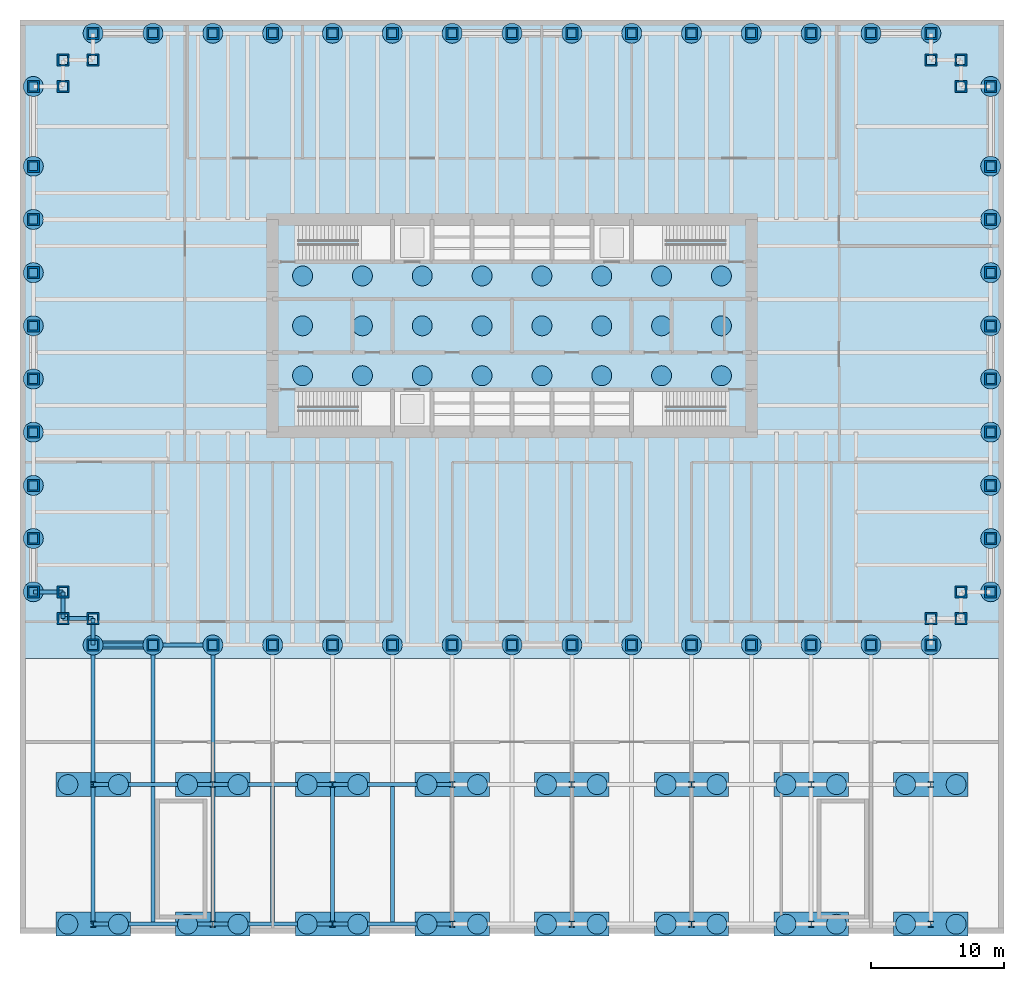
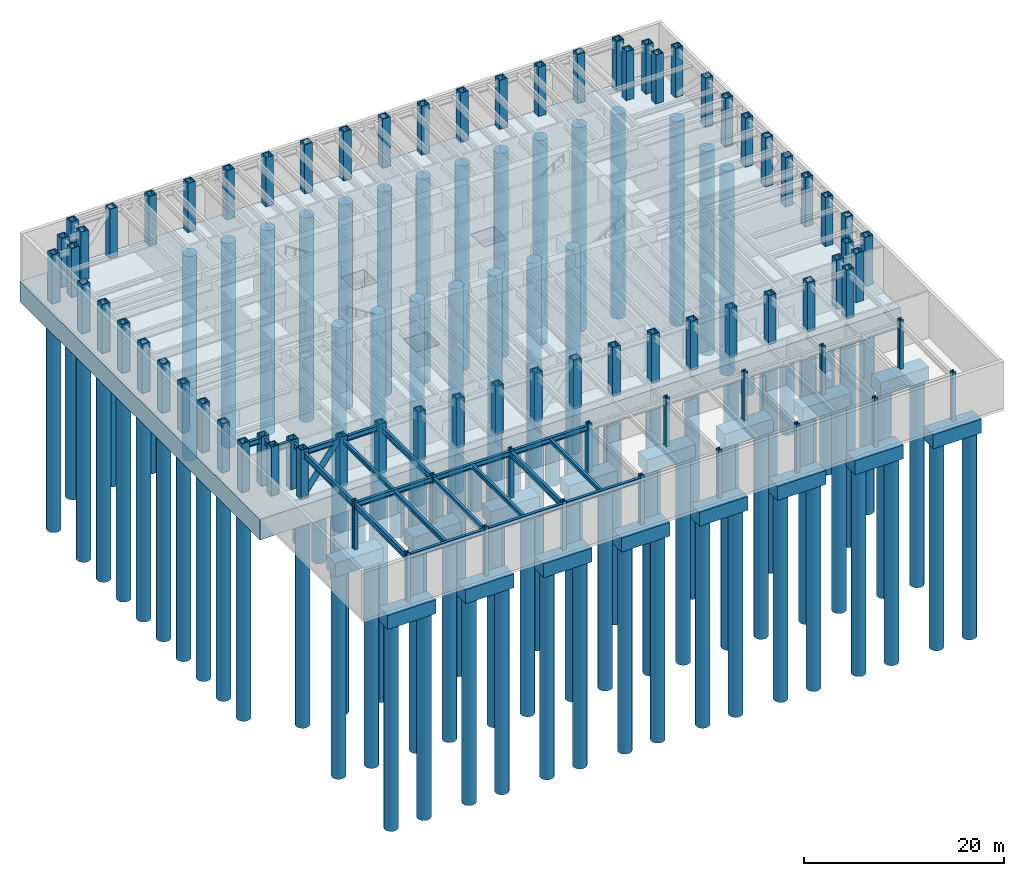
# One storey, part 1 of 9: 106 piles, 78 columns, 21 beams, 17 footings, 1 member.
"""IFC4 building model written with IfcOpenShell, lengths in metres."""

from ifc_helpers import new_model, si_unit, direction, frame, origin, origin_2d, place, context, subcontext, project, spatial, polyline, rectangle, hollow_rectangle, circle, hollow_circle, i_section, outline, extrude, material, layer, layer_set, material_profile, profile_set, type_object, element, save


model = new_model("IFC4")

# Units and contexts
model_context = context("Model", 3, precision=1e-05, world=origin(), true_north=direction((0.0, 1.0)))
body_context = subcontext(model_context, "Body", "Model", "MODEL_VIEW")
ifc_project = project(units=[si_unit("LENGTHUNIT", "METRE"), si_unit("AREAUNIT", "SQUARE_METRE"), si_unit("VOLUMEUNIT", "CUBIC_METRE"), si_unit("PLANEANGLEUNIT", "RADIAN"), si_unit("MASSUNIT", "GRAM", prefix="KILO")], contexts=[model_context])

# Site, building, storey
site_placement = place(None, origin())
site = spatial("IfcSite", under=ifc_project, at=site_placement, CompositionType="ELEMENT")
building_placement = place(site_placement, origin())
building = spatial("IfcBuilding", under=site, at=building_placement, Name="Rheinbord Bourse Tower", CompositionType="ELEMENT")
storey_placement = place(building_placement, frame((0.0, 0.0, -6.0)))
storey = spatial("IfcBuildingStorey", under=building, at=storey_placement, Name="B1", CompositionType="ELEMENT", Elevation=-6.0)

# Piles
ifc_material_1 = material(Name="Concrete C30/37", Category="concrete")
ifc_material_profile_1 = material_profile(ifc_material_1, circle(Radius=0.75, at=origin_2d()), Name="D1500")
ifc_profile_set_1 = profile_set([ifc_material_profile_1], Name="Concrete C30/37")
pile_type = type_object("IfcPileType", Name="BORED PILE D1500", PredefinedType="BORED", material=ifc_profile_set_1)
for number, where, z_axis, x_axis, name in (
    (1, (72.0, 12.0, -2.800048828125), (0.0, 0.0, -1.0), (1.0, 0.0, 0.0), "Pile E-12"),
    (2, (72.0, 16.0, -2.800048828125), (0.0, 0.0, -1.0), (1.0, 0.0, 0.0), "Pile E-16"),
    (3, (72.0, 20.0, -2.800048828125), (0.0, 0.0, -1.0), (1.0, 0.0, 0.0), "Pile E-20"),
    (4, (72.0, 24.0, -2.800048828125), (0.0, 0.0, -1.0), (1.0, 0.0, 0.0), "Pile E-24"),
    (5, (72.0, 28.0, -2.800048828125), (0.0, 0.0, -1.0), (1.0, 0.0, 0.0), "Pile E-28"),
    (6, (72.0, 32.0, -2.800048828125), (0.0, 0.0, -1.0), (1.0, 0.0, 0.0), "Pile E-32"),
    (7, (72.0, 36.0, -2.800048828125), (0.0, 0.0, -1.0), (1.0, 0.0, 0.0), "Pile E-36"),
    (8, (72.0, 8.0, -2.800048828125), (0.0, 0.0, -1.0), (1.0, 0.0, 0.0), "Pile E-8"),
    (9, (13.5, 46.0, -2.800048828125), (0.0, 0.0, -1.0), (1.0, 0.0, 0.0), "Pile N-13.5"),
    (10, (18.0, 46.0, -2.800048828125), (0.0, 0.0, -1.0), (1.0, 0.0, 0.0), "Pile N-18"),
    (11, (22.5, 46.0, -2.800048828125), (0.0, 0.0, -1.0), (1.0, 0.0, 0.0), "Pile N-22.5"),
    (12, (27.0, 46.0, -2.800048828125), (0.0, 0.0, -1.0), (1.0, 0.0, 0.0), "Pile N-27"),
    (13, (31.5, 46.0, -2.800048828125), (0.0, 0.0, -1.0), (1.0, 0.0, 0.0), "Pile N-31.5"),
    (14, (36.0, 46.0, -2.800048828125), (0.0, 0.0, -1.0), (1.0, 0.0, 0.0), "Pile N-36"),
    (15, (40.5, 46.0, -2.800048828125), (0.0, 0.0, -1.0), (1.0, 0.0, 0.0), "Pile N-40.5"),
    (16, (45.0, 46.0, -2.800048828125), (0.0, 0.0, -1.0), (1.0, 0.0, 0.0), "Pile N-45"),
    (17, (49.5, 46.0, -2.800048828125), (0.0, 0.0, -1.0), (1.0, 0.0, 0.0), "Pile N-49.5"),
    (18, (54.0, 46.0, -2.800048828125), (0.0, 0.0, -1.0), (1.0, 0.0, 0.0), "Pile N-54"),
    (19, (58.5, 46.0, -2.800048828125), (0.0, 0.0, -1.0), (1.0, 0.0, 0.0), "Pile N-58.5"),
    (20, (63.0, 46.0, -2.800048828125), (0.0, 0.0, -1.0), (1.0, 0.0, 0.0), "Pile N-63"),
    (21, (9.0, 46.0, -2.800048828125), (0.0, 0.0, -1.0), (1.0, 0.0, 0.0), "Pile N-9"),
    (22, (72.0, 42.0, -2.800048828125), (0.0, 0.0, -1.0), (1.0, 0.0, 0.0), "Pile NE-A"),
    (23, (67.5, 46.0, -2.800048828125), (0.0, 0.0, -1.0), (1.0, 0.0, 0.0), "Pile NE-E"),
    (24, (0.0, 42.0, -2.800048828125), (0.0, 0.0, -1.0), (1.0, 0.0, 0.0), "Pile NW-A"),
    (25, (4.5, 46.0, -2.800048828125), (0.0, 0.0, -1.0), (1.0, 0.0, 0.0), "Pile NW-E"),
    (26, (13.5, 0.0, -2.800048828125), (0.0, 0.0, -1.0), (1.0, 0.0, 0.0), "Pile S-13.5"),
    (27, (18.0, 0.0, -2.800048828125), (0.0, 0.0, -1.0), (1.0, 0.0, 0.0), "Pile S-18"),
    (28, (22.5, 0.0, -2.800048828125), (0.0, 0.0, -1.0), (1.0, 0.0, 0.0), "Pile S-22.5"),
    (29, (27.0, 0.0, -2.800048828125), (0.0, 0.0, -1.0), (1.0, 0.0, 0.0), "Pile S-27"),
    (30, (31.5, 0.0, -2.800048828125), (0.0, 0.0, -1.0), (1.0, 0.0, 0.0), "Pile S-31.5"),
    (31, (36.0, 0.0, -2.800048828125), (0.0, 0.0, -1.0), (1.0, 0.0, 0.0), "Pile S-36"),
    (32, (40.5, 0.0, -2.800048828125), (0.0, 0.0, -1.0), (1.0, 0.0, 0.0), "Pile S-40.5"),
    (33, (45.0, 0.0, -2.800048828125), (0.0, 0.0, -1.0), (1.0, 0.0, 0.0), "Pile S-45"),
    (34, (49.5, 0.0, -2.800048828125), (0.0, 0.0, -1.0), (1.0, 0.0, 0.0), "Pile S-49.5"),
    (35, (54.0, 0.0, -2.800048828125), (0.0, 0.0, -1.0), (1.0, 0.0, 0.0), "Pile S-54"),
    (36, (58.5, 0.0, -2.800048828125), (0.0, 0.0, -1.0), (1.0, 0.0, 0.0), "Pile S-58.5"),
    (37, (63.0, 0.0, -2.800048828125), (0.0, 0.0, -1.0), (1.0, 0.0, 0.0), "Pile S-63"),
    (38, (9.0, 0.0, -2.800048828125), (0.0, 0.0, -1.0), (1.0, 0.0, 0.0), "Pile S-9"),
    (39, (72.0, 4.0, -2.800048828125), (0.0, 0.0, -1.0), (1.0, 0.0, 0.0), "Pile SE-A"),
    (40, (67.5, 0.0, -2.800048828125), (0.0, 0.0, -1.0), (1.0, 0.0, 0.0), "Pile SE-E"),
    (41, (0.0, 4.0, -2.800048828125), (0.0, 0.0, -1.0), (1.0, 0.0, 0.0), "Pile SW-A"),
    (42, (4.5, 0.0, -2.800048828125), (0.0, 0.0, -1.0), (1.0, 0.0, 0.0), "Pile SW-E"),
    (43, (0.0, 12.0, -2.800048828125), (0.0, 0.0, -1.0), (1.0, 0.0, 0.0), "Pile W-12"),
    (44, (0.0, 16.0, -2.800048828125), (0.0, 0.0, -1.0), (1.0, 0.0, 0.0), "Pile W-16"),
    (45, (0.0, 20.0, -2.800048828125), (0.0, 0.0, -1.0), (1.0, 0.0, 0.0), "Pile W-20"),
    (46, (0.0, 24.0, -2.800048828125), (0.0, 0.0, -1.0), (1.0, 0.0, 0.0), "Pile W-24"),
    (47, (0.0, 28.0, -2.800048828125), (0.0, 0.0, -1.0), (1.0, 0.0, 0.0), "Pile W-28"),
    (48, (0.0, 32.0, -2.800048828125), (0.0, 0.0, -1.0), (1.0, 0.0, 0.0), "Pile W-32"),
    (49, (0.0, 36.0, -2.800048828125), (0.0, 0.0, -1.0), (1.0, 0.0, 0.0), "Pile W-36"),
    (50, (0.0, 8.0, -2.800048828125), (0.0, 0.0, -1.0), (1.0, 0.0, 0.0), "Pile W-8"),
    (51, (20.25, 20.25, -2.800048828125), (0.0, 0.0, -1.0), (1.0, 0.0, 0.0), "Pile core-0-0"),
    (52, (20.25, 24.0, -2.800048828125), (0.0, 0.0, -1.0), (1.0, 0.0, 0.0), "Pile core-0-1"),
    (53, (20.25, 27.75, -2.800048828125), (0.0, 0.0, -1.0), (1.0, 0.0, 0.0), "Pile core-0-2"),
    (54, (24.75, 20.25, -2.800048828125), (0.0, 0.0, -1.0), (1.0, 0.0, 0.0), "Pile core-1-0"),
    (55, (24.75, 24.0, -2.800048828125), (0.0, 0.0, -1.0), (1.0, 0.0, 0.0), "Pile core-1-1"),
    (56, (24.75, 27.75, -2.800048828125), (0.0, 0.0, -1.0), (1.0, 0.0, 0.0), "Pile core-1-2"),
    (57, (29.25, 20.25, -2.800048828125), (0.0, 0.0, -1.0), (1.0, 0.0, 0.0), "Pile core-2-0"),
    (58, (29.25, 24.0, -2.800048828125), (0.0, 0.0, -1.0), (1.0, 0.0, 0.0), "Pile core-2-1"),
    (59, (29.25, 27.75, -2.800048828125), (0.0, 0.0, -1.0), (1.0, 0.0, 0.0), "Pile core-2-2"),
    (60, (33.75, 20.25, -2.800048828125), (0.0, 0.0, -1.0), (1.0, 0.0, 0.0), "Pile core-3-0"),
    (61, (33.75, 24.0, -2.800048828125), (0.0, 0.0, -1.0), (1.0, 0.0, 0.0), "Pile core-3-1"),
    (62, (33.75, 27.75, -2.800048828125), (0.0, 0.0, -1.0), (1.0, 0.0, 0.0), "Pile core-3-2"),
    (63, (38.25, 20.25, -2.800048828125), (0.0, 0.0, -1.0), (1.0, 0.0, 0.0), "Pile core-4-0"),
    (64, (38.25, 24.0, -2.800048828125), (0.0, 0.0, -1.0), (1.0, 0.0, 0.0), "Pile core-4-1"),
    (65, (38.25, 27.75, -2.800048828125), (0.0, 0.0, -1.0), (1.0, 0.0, 0.0), "Pile core-4-2"),
    (66, (42.75, 20.25, -2.800048828125), (0.0, 0.0, -1.0), (1.0, 0.0, 0.0), "Pile core-5-0"),
    (67, (42.75, 24.0, -2.800048828125), (0.0, 0.0, -1.0), (1.0, 0.0, 0.0), "Pile core-5-1"),
    (68, (42.75, 27.75, -2.800048828125), (0.0, 0.0, -1.0), (1.0, 0.0, 0.0), "Pile core-5-2"),
    (69, (47.25, 20.25, -2.800048828125), (0.0, 0.0, -1.0), (1.0, 0.0, 0.0), "Pile core-6-0"),
    (70, (47.25, 24.0, -2.800048828125), (0.0, 0.0, -1.0), (1.0, 0.0, 0.0), "Pile core-6-1"),
    (71, (47.25, 27.75, -2.800048828125), (0.0, 0.0, -1.0), (1.0, 0.0, 0.0), "Pile core-6-2"),
    (72, (51.75, 20.25, -2.800048828125), (0.0, 0.0, -1.0), (1.0, 0.0, 0.0), "Pile core-7-0"),
    (73, (51.75, 24.0, -2.800048828125), (0.0, 0.0, -1.0), (1.0, 0.0, 0.0), "Pile core-7-1"),
    (74, (51.75, 27.75, -2.800048828125), (0.0, 0.0, -1.0), (1.0, 0.0, 0.0), "Pile core-7-2"),
    (75, (2.60009765625, -21.0, -2.0), (0.0, 0.0, -1.0), (1.0, 0.0, 0.0), "Pile under cap 4.5 / -21"),
    (76, (6.39990234375, -21.0, -2.0), (0.0, 0.0, -1.0), (1.0, 0.0, 0.0), "Pile under cap 4.5 / -21"),
    (77, (2.60009765625, -10.5, -2.0), (0.0, 0.0, -1.0), (1.0, 0.0, 0.0), "Pile under cap 4.5 / -10.5"),
    (78, (6.39990234375, -10.5, -2.0), (0.0, 0.0, -1.0), (1.0, 0.0, 0.0), "Pile under cap 4.5 / -10.5"),
    (79, (11.60009765625, -21.0, -2.0), (0.0, 0.0, -1.0), (1.0, 0.0, 0.0), "Pile under cap 13.5 / -21"),
    (80, (15.39990234375, -21.0, -2.0), (0.0, 0.0, -1.0), (1.0, 0.0, 0.0), "Pile under cap 13.5 / -21"),
    (81, (11.60009765625, -10.5, -2.0), (0.0, 0.0, -1.0), (1.0, 0.0, 0.0), "Pile under cap 13.5 / -10.5"),
    (82, (15.39990234375, -10.5, -2.0), (0.0, 0.0, -1.0), (1.0, 0.0, 0.0), "Pile under cap 13.5 / -10.5"),
    (83, (20.60009765625, -21.0, -2.0), (0.0, 0.0, -1.0), (1.0, 0.0, 0.0), "Pile under cap 22.5 / -21"),
    (84, (24.39990234375, -21.0, -2.0), (0.0, 0.0, -1.0), (1.0, 0.0, 0.0), "Pile under cap 22.5 / -21"),
    (85, (20.60009765625, -10.5, -2.0), (0.0, 0.0, -1.0), (1.0, 0.0, 0.0), "Pile under cap 22.5 / -10.5"),
    (86, (24.39990234375, -10.5, -2.0), (0.0, 0.0, -1.0), (1.0, 0.0, 0.0), "Pile under cap 22.5 / -10.5"),
    (87, (29.60009765625, -21.0, -2.0), (0.0, 0.0, -1.0), (1.0, 0.0, 0.0), "Pile under cap 31.5 / -21"),
    (88, (33.39990234375, -21.0, -2.0), (0.0, 0.0, -1.0), (1.0, 0.0, 0.0), "Pile under cap 31.5 / -21"),
    (89, (29.60009765625, -10.5, -2.0), (0.0, 0.0, -1.0), (1.0, 0.0, 0.0), "Pile under cap 31.5 / -10.5"),
    (90, (33.39990234375, -10.5, -2.0), (0.0, 0.0, -1.0), (1.0, 0.0, 0.0), "Pile under cap 31.5 / -10.5"),
    (91, (38.60009765625, -21.0, -2.0), (0.0, 0.0, -1.0), (1.0, 0.0, 0.0), "Pile under cap 40.5 / -21"),
    (92, (42.39990234375, -21.0, -2.0), (0.0, 0.0, -1.0), (1.0, 0.0, 0.0), "Pile under cap 40.5 / -21"),
    (93, (38.60009765625, -10.5, -2.0), (0.0, 0.0, -1.0), (1.0, 0.0, 0.0), "Pile under cap 40.5 / -10.5"),
    (94, (42.39990234375, -10.5, -2.0), (0.0, 0.0, -1.0), (1.0, 0.0, 0.0), "Pile under cap 40.5 / -10.5"),
    (95, (47.60009765625, -21.0, -2.0), (0.0, 0.0, -1.0), (1.0, 0.0, 0.0), "Pile under cap 49.5 / -21"),
    (96, (51.39990234375, -21.0, -2.0), (0.0, 0.0, -1.0), (1.0, 0.0, 0.0), "Pile under cap 49.5 / -21"),
    (97, (47.60009765625, -10.5, -2.0), (0.0, 0.0, -1.0), (1.0, 0.0, 0.0), "Pile under cap 49.5 / -10.5"),
    (98, (51.39990234375, -10.5, -2.0), (0.0, 0.0, -1.0), (1.0, 0.0, 0.0), "Pile under cap 49.5 / -10.5"),
    (99, (56.60009765625, -21.0, -2.0), (0.0, 0.0, -1.0), (1.0, 0.0, 0.0), "Pile under cap 58.5 / -21"),
    (100, (60.39990234375, -21.0, -2.0), (0.0, 0.0, -1.0), (1.0, 0.0, 0.0), "Pile under cap 58.5 / -21"),
    (101, (56.60009765625, -10.5, -2.0), (0.0, 0.0, -1.0), (1.0, 0.0, 0.0), "Pile under cap 58.5 / -10.5"),
    (102, (60.39990234375, -10.5, -2.0), (0.0, 0.0, -1.0), (1.0, 0.0, 0.0), "Pile under cap 58.5 / -10.5"),
    (103, (65.60009765625, -21.0, -2.0), (0.0, 0.0, -1.0), (1.0, 0.0, 0.0), "Pile under cap 67.5 / -21"),
    (104, (69.39990234375, -21.0, -2.0), (0.0, 0.0, -1.0), (1.0, 0.0, 0.0), "Pile under cap 67.5 / -21"),
    (105, (65.60009765625, -10.5, -2.0), (0.0, 0.0, -1.0), (1.0, 0.0, 0.0), "Pile under cap 67.5 / -10.5"),
    (106, (69.39990234375, -10.5, -2.0), (0.0, 0.0, -1.0), (1.0, 0.0, 0.0), "Pile under cap 67.5 / -10.5"),
):
    element("IfcPile", number, at=place(storey_placement, frame(where, z_axis=z_axis, x_axis=x_axis)), inside=storey, type_object=pile_type, Name=name, PredefinedType="BORED", context=body_context, shape_type="SweptSolid", body=[
        extrude(circle(Radius=0.75, at=origin_2d()), origin(), (0.0, 0.0, 1.0), 25.0),
    ])

# Footings
ifc_material_2 = material(Name="Concrete C35/45", Category="concrete")
footing_type_1 = type_object("IfcFootingType", Name="PILE CAP 2P 5600x1800", PredefinedType="PILE_CAP", material=ifc_material_2)
for number, where, z_axis, x_axis, name in (
    (107, (4.5, -21.0, -2.0), (0.0, 0.0, 1.0), (1.0, 0.0, 0.0), "Pile cap at 4.5 / -21"),
    (108, (4.5, -10.5, -2.0), (0.0, 0.0, 1.0), (1.0, 0.0, 0.0), "Pile cap at 4.5 / -10.5"),
    (109, (13.5, -21.0, -2.0), (0.0, 0.0, 1.0), (1.0, 0.0, 0.0), "Pile cap at 13.5 / -21"),
    (110, (13.5, -10.5, -2.0), (0.0, 0.0, 1.0), (1.0, 0.0, 0.0), "Pile cap at 13.5 / -10.5"),
    (111, (22.5, -21.0, -2.0), (0.0, 0.0, 1.0), (1.0, 0.0, 0.0), "Pile cap at 22.5 / -21"),
    (112, (22.5, -10.5, -2.0), (0.0, 0.0, 1.0), (1.0, 0.0, 0.0), "Pile cap at 22.5 / -10.5"),
    (113, (31.5, -21.0, -2.0), (0.0, 0.0, 1.0), (1.0, 0.0, 0.0), "Pile cap at 31.5 / -21"),
    (114, (31.5, -10.5, -2.0), (0.0, 0.0, 1.0), (1.0, 0.0, 0.0), "Pile cap at 31.5 / -10.5"),
    (115, (40.5, -21.0, -2.0), (0.0, 0.0, 1.0), (1.0, 0.0, 0.0), "Pile cap at 40.5 / -21"),
    (116, (40.5, -10.5, -2.0), (0.0, 0.0, 1.0), (1.0, 0.0, 0.0), "Pile cap at 40.5 / -10.5"),
    (117, (49.5, -21.0, -2.0), (0.0, 0.0, 1.0), (1.0, 0.0, 0.0), "Pile cap at 49.5 / -21"),
    (118, (49.5, -10.5, -2.0), (0.0, 0.0, 1.0), (1.0, 0.0, 0.0), "Pile cap at 49.5 / -10.5"),
    (119, (58.5, -21.0, -2.0), (0.0, 0.0, 1.0), (1.0, 0.0, 0.0), "Pile cap at 58.5 / -21"),
    (120, (58.5, -10.5, -2.0), (0.0, 0.0, 1.0), (1.0, 0.0, 0.0), "Pile cap at 58.5 / -10.5"),
    (121, (67.5, -21.0, -2.0), (0.0, 0.0, 1.0), (1.0, 0.0, 0.0), "Pile cap at 67.5 / -21"),
    (122, (67.5, -10.5, -2.0), (0.0, 0.0, 1.0), (1.0, 0.0, 0.0), "Pile cap at 67.5 / -10.5"),
):
    element("IfcFooting", number, at=place(storey_placement, frame(where, z_axis=z_axis, x_axis=x_axis)), inside=storey, type_object=footing_type_1, Name=name, PredefinedType="PILE_CAP", context=body_context, shape_type="SweptSolid", body=[
        extrude(rectangle(XDim=5.60009765625, YDim=1.800048828125, at=origin_2d()), origin(), (0.0, 0.0, 1.0), 1.699951171875),
    ])
ifc_material_3 = material(Name="Concrete C35/45", Category="concrete")
ifc_layer = layer(ifc_material_3, 2.5)
ifc_layer_set = layer_set([ifc_layer], Name="PILED RAFT 2500")
footing_type_2 = type_object("IfcFootingType", Name="PILED RAFT 2500", PredefinedType="USERDEFINED", material=ifc_layer_set)
footing_placement = place(storey_placement, frame((0.0, 0.0, -2.800048828125)))
element("IfcFooting", 123, at=footing_placement, inside=storey, type_object=footing_type_2, Name="Piled raft", ObjectType="PILED RAFT", PredefinedType="USERDEFINED", context=body_context, shape_type="SweptSolid", body=[
    extrude(outline(polyline([(-1.0, -1.0), (73.0, -1.0), (73.0, 47.0), (-1.0, 47.0), (-1.0, -1.0)]), holes=[polyline([(27.14990234375, 16.449951171875), (29.85009765625, 16.449951171875), (29.85009765625, 19.050048828125), (27.14990234375, 19.050048828125), (27.14990234375, 16.449951171875)]), polyline([(42.14990234375, 28.949951171875), (44.85009765625, 28.949951171875), (44.85009765625, 31.550048828125), (42.14990234375, 31.550048828125), (42.14990234375, 28.949951171875)]), polyline([(27.14990234375, 28.949951171875), (29.85009765625, 28.949951171875), (29.85009765625, 31.550048828125), (27.14990234375, 31.550048828125), (27.14990234375, 28.949951171875)])]), origin(), (0.0, 0.0, 1.0), 2.5),
])

# Columns
ifc_material_4 = material(Name="Steel S460", Category="steel")
ifc_material_profile_2 = material_profile(ifc_material_4, i_section(OverallWidth=0.424072265625, OverallDepth=0.47412109375, WebThickness=0.047607421875, FlangeThickness=0.0771484375, at=origin_2d()), Name="HD 400x634")
ifc_profile_set_2 = profile_set([ifc_material_profile_2], Name="Steel S460")
column_type_1 = type_object("IfcColumnType", Name="PODIUM COLUMN HD 400x634", PredefinedType="COLUMN", material=ifc_profile_set_2)
for number, where, z_axis, x_axis, name in (
    (124, (4.5, -21.0, 0.0), (0.0, 0.0, 1.0), (1.0, 0.0, 0.0), "Podium column 4.5 / -21 B1"),
    (125, (4.5, -10.5, 0.0), (0.0, 0.0, 1.0), (1.0, 0.0, 0.0), "Podium column 4.5 / -10.5 B1"),
    (126, (13.5, -21.0, 0.0), (0.0, 0.0, 1.0), (1.0, 0.0, 0.0), "Podium column 13.5 / -21 B1"),
    (127, (13.5, -10.5, 0.0), (0.0, 0.0, 1.0), (1.0, 0.0, 0.0), "Podium column 13.5 / -10.5 B1"),
    (128, (22.5, -21.0, 0.0), (0.0, 0.0, 1.0), (1.0, 0.0, 0.0), "Podium column 22.5 / -21 B1"),
    (129, (22.5, -10.5, 0.0), (0.0, 0.0, 1.0), (1.0, 0.0, 0.0), "Podium column 22.5 / -10.5 B1"),
    (130, (31.5, -21.0, 0.0), (0.0, 0.0, 1.0), (1.0, 0.0, 0.0), "Podium column 31.5 / -21 B1"),
    (131, (31.5, -10.5, 0.0), (0.0, 0.0, 1.0), (1.0, 0.0, 0.0), "Podium column 31.5 / -10.5 B1"),
    (132, (40.5, -21.0, 0.0), (0.0, 0.0, 1.0), (1.0, 0.0, 0.0), "Podium column 40.5 / -21 B1"),
    (133, (40.5, -10.5, 0.0), (0.0, 0.0, 1.0), (1.0, 0.0, 0.0), "Podium column 40.5 / -10.5 B1"),
    (134, (49.5, -21.0, 0.0), (0.0, 0.0, 1.0), (1.0, 0.0, 0.0), "Podium column 49.5 / -21 B1"),
    (135, (49.5, -10.5, 0.0), (0.0, 0.0, 1.0), (1.0, 0.0, 0.0), "Podium column 49.5 / -10.5 B1"),
    (136, (58.5, -21.0, 0.0), (0.0, 0.0, 1.0), (1.0, 0.0, 0.0), "Podium column 58.5 / -21 B1"),
    (137, (58.5, -10.5, 0.0), (0.0, 0.0, 1.0), (1.0, 0.0, 0.0), "Podium column 58.5 / -10.5 B1"),
    (138, (67.5, -21.0, 0.0), (0.0, 0.0, 1.0), (1.0, 0.0, 0.0), "Podium column 67.5 / -21 B1"),
    (139, (67.5, -10.5, 0.0), (0.0, 0.0, 1.0), (1.0, 0.0, 0.0), "Podium column 67.5 / -10.5 B1"),
):
    element("IfcColumn", number, at=place(storey_placement, frame(where, z_axis=z_axis, x_axis=x_axis)), inside=storey, type_object=column_type_1, Name=name, PredefinedType="COLUMN", context=body_context, shape_type="SweptSolid", body=[
        extrude(i_section(OverallWidth=0.424072265625, OverallDepth=0.47412109375, WebThickness=0.047607421875, FlangeThickness=0.0771484375, at=origin_2d()), origin(), (0.0, 0.0, 1.0), 6.0),
    ])
ifc_material_5 = material(Name="Steel S460M", Category="steel")
ifc_material_profile_3 = material_profile(ifc_material_5, hollow_rectangle(XDim=0.89990234375, YDim=0.89990234375, WallThickness=0.1201171875, at=origin_2d()), Name="BOX 900x900x120")
ifc_profile_set_3 = profile_set([ifc_material_profile_3], Name="Steel S460M")
column_type_2 = type_object("IfcColumnType", Name="TUBE COLUMN BOX 900x900x120", PredefinedType="COLUMN", material=ifc_profile_set_3)
for number, where, z_axis, x_axis, name in (
    (140, (4.5, 0.0, 0.0), (0.0, 0.0, 1.0), (0.0, 1.0, 0.0), "Column SW-E B1"),
    (141, (9.0, 0.0, 0.0), (0.0, 0.0, 1.0), (0.0, 1.0, 0.0), "Column S-9 B1"),
    (142, (13.5, 0.0, 0.0), (0.0, 0.0, 1.0), (0.0, 1.0, 0.0), "Column S-13.5 B1"),
    (143, (18.0, 0.0, 0.0), (0.0, 0.0, 1.0), (0.0, 1.0, 0.0), "Column S-18 B1"),
    (144, (22.5, 0.0, 0.0), (0.0, 0.0, 1.0), (0.0, 1.0, 0.0), "Column S-22.5 B1"),
    (145, (27.0, 0.0, 0.0), (0.0, 0.0, 1.0), (0.0, 1.0, 0.0), "Column S-27 B1"),
    (146, (31.5, 0.0, 0.0), (0.0, 0.0, 1.0), (0.0, 1.0, 0.0), "Column S-31.5 B1"),
    (147, (36.0, 0.0, 0.0), (0.0, 0.0, 1.0), (0.0, 1.0, 0.0), "Column S-36 B1"),
    (148, (40.5, 0.0, 0.0), (0.0, 0.0, 1.0), (0.0, 1.0, 0.0), "Column S-40.5 B1"),
    (149, (45.0, 0.0, 0.0), (0.0, 0.0, 1.0), (0.0, 1.0, 0.0), "Column S-45 B1"),
    (150, (49.5, 0.0, 0.0), (0.0, 0.0, 1.0), (0.0, 1.0, 0.0), "Column S-49.5 B1"),
    (151, (54.0, 0.0, 0.0), (0.0, 0.0, 1.0), (0.0, 1.0, 0.0), "Column S-54 B1"),
    (152, (58.5, 0.0, 0.0), (0.0, 0.0, 1.0), (0.0, 1.0, 0.0), "Column S-58.5 B1"),
    (153, (63.0, 0.0, 0.0), (0.0, 0.0, 1.0), (0.0, 1.0, 0.0), "Column S-63 B1"),
    (154, (67.5, 0.0, 0.0), (0.0, 0.0, 1.0), (0.0, 1.0, 0.0), "Column SE-E B1"),
    (155, (67.5, 2.0, 0.0), (0.0, 0.0, 1.0), (0.0, 1.0, 0.0), "Column SE-D B1"),
    (156, (69.75, 2.0, 0.0), (0.0, 0.0, 1.0), (1.0, 0.0, 0.0), "Column SE-C B1"),
    (157, (69.75, 4.0, 0.0), (0.0, 0.0, 1.0), (1.0, 0.0, 0.0), "Column SE-B B1"),
    (158, (72.0, 4.0, 0.0), (0.0, 0.0, 1.0), (1.0, 0.0, 0.0), "Column SE-A B1"),
    (159, (72.0, 8.0, 0.0), (0.0, 0.0, 1.0), (1.0, 0.0, 0.0), "Column E-8 B1"),
    (160, (72.0, 12.0, 0.0), (0.0, 0.0, 1.0), (1.0, 0.0, 0.0), "Column E-12 B1"),
    (161, (72.0, 16.0, 0.0), (0.0, 0.0, 1.0), (1.0, 0.0, 0.0), "Column E-16 B1"),
    (162, (72.0, 20.0, 0.0), (0.0, 0.0, 1.0), (1.0, 0.0, 0.0), "Column E-20 B1"),
    (163, (72.0, 24.0, 0.0), (0.0, 0.0, 1.0), (1.0, 0.0, 0.0), "Column E-24 B1"),
    (164, (72.0, 28.0, 0.0), (0.0, 0.0, 1.0), (1.0, 0.0, 0.0), "Column E-28 B1"),
    (165, (72.0, 32.0, 0.0), (0.0, 0.0, 1.0), (1.0, 0.0, 0.0), "Column E-32 B1"),
    (166, (72.0, 36.0, 0.0), (0.0, 0.0, 1.0), (1.0, 0.0, 0.0), "Column E-36 B1"),
    (167, (72.0, 42.0, 0.0), (0.0, 0.0, 1.0), (1.0, 0.0, 0.0), "Column NE-A B1"),
    (168, (69.75, 42.0, 0.0), (0.0, 0.0, 1.0), (1.0, 0.0, 0.0), "Column NE-B B1"),
    (169, (69.75, 44.0, 0.0), (0.0, 0.0, 1.0), (1.0, 0.0, 0.0), "Column NE-C B1"),
    (170, (67.5, 44.0, 0.0), (0.0, 0.0, 1.0), (0.0, 1.0, 0.0), "Column NE-D B1"),
    (171, (67.5, 46.0, 0.0), (0.0, 0.0, 1.0), (0.0, 1.0, 0.0), "Column NE-E B1"),
    (172, (63.0, 46.0, 0.0), (0.0, 0.0, 1.0), (0.0, 1.0, 0.0), "Column N-63 B1"),
    (173, (58.5, 46.0, 0.0), (0.0, 0.0, 1.0), (0.0, 1.0, 0.0), "Column N-58.5 B1"),
    (174, (54.0, 46.0, 0.0), (0.0, 0.0, 1.0), (0.0, 1.0, 0.0), "Column N-54 B1"),
    (175, (49.5, 46.0, 0.0), (0.0, 0.0, 1.0), (0.0, 1.0, 0.0), "Column N-49.5 B1"),
    (176, (45.0, 46.0, 0.0), (0.0, 0.0, 1.0), (0.0, 1.0, 0.0), "Column N-45 B1"),
    (177, (40.5, 46.0, 0.0), (0.0, 0.0, 1.0), (0.0, 1.0, 0.0), "Column N-40.5 B1"),
    (178, (36.0, 46.0, 0.0), (0.0, 0.0, 1.0), (0.0, 1.0, 0.0), "Column N-36 B1"),
    (179, (31.5, 46.0, 0.0), (0.0, 0.0, 1.0), (0.0, 1.0, 0.0), "Column N-31.5 B1"),
    (180, (27.0, 46.0, 0.0), (0.0, 0.0, 1.0), (0.0, 1.0, 0.0), "Column N-27 B1"),
    (181, (22.5, 46.0, 0.0), (0.0, 0.0, 1.0), (0.0, 1.0, 0.0), "Column N-22.5 B1"),
    (182, (18.0, 46.0, 0.0), (0.0, 0.0, 1.0), (0.0, 1.0, 0.0), "Column N-18 B1"),
    (183, (13.5, 46.0, 0.0), (0.0, 0.0, 1.0), (0.0, 1.0, 0.0), "Column N-13.5 B1"),
    (184, (9.0, 46.0, 0.0), (0.0, 0.0, 1.0), (0.0, 1.0, 0.0), "Column N-9 B1"),
    (185, (4.5, 46.0, 0.0), (0.0, 0.0, 1.0), (0.0, 1.0, 0.0), "Column NW-E B1"),
    (186, (4.5, 44.0, 0.0), (0.0, 0.0, 1.0), (0.0, 1.0, 0.0), "Column NW-D B1"),
    (187, (2.25, 44.0, 0.0), (0.0, 0.0, 1.0), (1.0, 0.0, 0.0), "Column NW-C B1"),
    (188, (2.25, 42.0, 0.0), (0.0, 0.0, 1.0), (1.0, 0.0, 0.0), "Column NW-B B1"),
    (189, (0.0, 42.0, 0.0), (0.0, 0.0, 1.0), (1.0, 0.0, 0.0), "Column NW-A B1"),
    (190, (0.0, 36.0, 0.0), (0.0, 0.0, 1.0), (1.0, 0.0, 0.0), "Column W-36 B1"),
    (191, (0.0, 32.0, 0.0), (0.0, 0.0, 1.0), (1.0, 0.0, 0.0), "Column W-32 B1"),
    (192, (0.0, 28.0, 0.0), (0.0, 0.0, 1.0), (1.0, 0.0, 0.0), "Column W-28 B1"),
    (193, (0.0, 24.0, 0.0), (0.0, 0.0, 1.0), (1.0, 0.0, 0.0), "Column W-24 B1"),
    (194, (0.0, 20.0, 0.0), (0.0, 0.0, 1.0), (1.0, 0.0, 0.0), "Column W-20 B1"),
    (195, (0.0, 16.0, 0.0), (0.0, 0.0, 1.0), (1.0, 0.0, 0.0), "Column W-16 B1"),
    (196, (0.0, 12.0, 0.0), (0.0, 0.0, 1.0), (1.0, 0.0, 0.0), "Column W-12 B1"),
    (197, (0.0, 8.0, 0.0), (0.0, 0.0, 1.0), (1.0, 0.0, 0.0), "Column W-8 B1"),
    (198, (0.0, 4.0, 0.0), (0.0, 0.0, 1.0), (1.0, 0.0, 0.0), "Column SW-A B1"),
    (199, (2.25, 4.0, 0.0), (0.0, 0.0, 1.0), (1.0, 0.0, 0.0), "Column SW-B B1"),
    (200, (2.25, 2.0, 0.0), (0.0, 0.0, 1.0), (1.0, 0.0, 0.0), "Column SW-C B1"),
    (201, (4.5, 2.0, 0.0), (0.0, 0.0, 1.0), (0.0, 1.0, 0.0), "Column SW-D B1"),
):
    element("IfcColumn", number, at=place(storey_placement, frame(where, z_axis=z_axis, x_axis=x_axis)), inside=storey, type_object=column_type_2, Name=name, PredefinedType="COLUMN", context=body_context, shape_type="SweptSolid", body=[
        extrude(hollow_rectangle(XDim=0.89990234375, YDim=0.89990234375, WallThickness=0.1201171875, at=origin_2d()), origin(), (0.0, 0.0, 1.0), 6.0),
    ])

# Member
ifc_material_6 = material(Name="Steel S460", Category="steel")
ifc_material_profile_4 = material_profile(ifc_material_6, hollow_circle(Radius=0.304931640625, WallThickness=0.050048828125, at=origin_2d()), Name="CHS 610x50")
ifc_profile_set_4 = profile_set([ifc_material_profile_4], Name="Steel S460")
member_type = type_object("IfcMemberType", Name="MEGABRACE CHS 610x50", PredefinedType="BRACE", material=ifc_profile_set_4)
member_placement = place(storey_placement, frame((4.5, 0.0, 0.0), z_axis=(0.6, 0.0, 0.8), x_axis=(0.0, 1.0, 0.0)))
element("IfcMember", 202, at=member_placement, inside=storey, type_object=member_type, Name="Megabrace S face line a B1", PredefinedType="BRACE", context=body_context, shape_type="SweptSolid", body=[
    extrude(hollow_circle(Radius=0.304931640625, WallThickness=0.050048828125, at=origin_2d()), origin(), (0.0, 0.0, 1.0), 7.5),
])

# Beams
ifc_material_7 = material(Name="Steel S460", Category="steel")
ifc_material_profile_5 = material_profile(ifc_material_7, i_section(OverallWidth=0.304931640625, OverallDepth=0.6201171875, WebThickness=0.02099609375, FlangeThickness=0.0400390625, at=origin_2d()), Name="HEM 600")
ifc_profile_set_5 = profile_set([ifc_material_profile_5], Name="Steel S460")
beam_type_1 = type_object("IfcBeamType", Name="PODIUM EDGE BEAM HEM 600", PredefinedType="BEAM", material=ifc_profile_set_5)
for number, where, z_axis, x_axis, name in (
    (203, (4.5, -21.0, 5.389892578125), (1.0, 0.0, 0.0), (0.0, 1.0, 0.0), "Podium edge beam 4.5-13.5 L00"),
    (204, (4.5, -10.5, 5.389892578125), (1.0, 0.0, 0.0), (0.0, 1.0, 0.0), "Podium edge beam 4.5-13.5 L00"),
    (205, (13.5, -21.0, 5.389892578125), (1.0, 0.0, 0.0), (0.0, 1.0, 0.0), "Podium edge beam 13.5-22.5 L00"),
    (206, (13.5, -10.5, 5.389892578125), (1.0, 0.0, 0.0), (0.0, 1.0, 0.0), "Podium edge beam 13.5-22.5 L00"),
    (207, (22.5, -21.0, 5.389892578125), (1.0, 0.0, 0.0), (0.0, 1.0, 0.0), "Podium edge beam 22.5-31.5 L00"),
    (208, (22.5, -10.5, 5.389892578125), (1.0, 0.0, 0.0), (0.0, 1.0, 0.0), "Podium edge beam 22.5-31.5 L00"),
):
    element("IfcBeam", number, at=place(storey_placement, frame(where, z_axis=z_axis, x_axis=x_axis)), inside=storey, type_object=beam_type_1, Name=name, PredefinedType="BEAM", context=body_context, shape_type="SweptSolid", body=[
        extrude(i_section(OverallWidth=0.304931640625, OverallDepth=0.6201171875, WebThickness=0.02099609375, FlangeThickness=0.0400390625, at=origin_2d()), origin(), (0.0, 0.0, 1.0), 9.0),
    ])
ifc_material_8 = material(Name="Steel S460", Category="steel")
ifc_material_profile_6 = material_profile(ifc_material_8, i_section(OverallWidth=0.303955078125, OverallDepth=0.716064453125, WebThickness=0.02099609375, FlangeThickness=0.0400390625, at=origin_2d()), Name="HEM 700")
ifc_profile_set_6 = profile_set([ifc_material_profile_6], Name="Steel S460")
beam_type_2 = type_object("IfcBeamType", Name="PODIUM GIRDER HEM 700", PredefinedType="BEAM", material=ifc_profile_set_6)
for number, where, z_axis, x_axis, name in (
    (209, (4.5, -21.0, 5.342041015625), (0.0, 1.0, 0.0), (-1.0, 0.0, 0.0), "Podium girder 4.5 L00"),
    (210, (4.5, -10.5, 5.342041015625), (0.0, 1.0, 0.0), (-1.0, 0.0, 0.0), "Podium girder 4.5 L00"),
    (211, (13.5, -21.0, 5.342041015625), (0.0, 1.0, 0.0), (-1.0, 0.0, 0.0), "Podium girder 13.5 L00"),
    (212, (13.5, -10.5, 5.342041015625), (0.0, 1.0, 0.0), (-1.0, 0.0, 0.0), "Podium girder 13.5 L00"),
    (213, (22.5, -21.0, 5.342041015625), (0.0, 1.0, 0.0), (-1.0, 0.0, 0.0), "Podium girder 22.5 L00"),
):
    element("IfcBeam", number, at=place(storey_placement, frame(where, z_axis=z_axis, x_axis=x_axis)), inside=storey, type_object=beam_type_2, Name=name, PredefinedType="BEAM", context=body_context, shape_type="SweptSolid", body=[
        extrude(i_section(OverallWidth=0.303955078125, OverallDepth=0.716064453125, WebThickness=0.02099609375, FlangeThickness=0.0400390625, at=origin_2d()), origin(), (0.0, 0.0, 1.0), 10.5),
    ])
ifc_material_9 = material(Name="Steel S460", Category="steel")
ifc_material_profile_7 = material_profile(ifc_material_9, i_section(OverallWidth=0.300048828125, OverallDepth=0.5, WebThickness=0.014404296875, FlangeThickness=0.028076171875, at=origin_2d()), Name="HEB 500")
ifc_profile_set_7 = profile_set([ifc_material_profile_7], Name="Steel S460")
beam_type_3 = type_object("IfcBeamType", Name="PODIUM JOIST HEB 500", PredefinedType="JOIST", material=ifc_profile_set_7)
for number, where, z_axis, x_axis, name in (
    (214, (9.0, -21.0, 5.449951171875), (0.0, 1.0, 0.0), (-1.0, 0.0, 0.0), "Podium joist 9 L00"),
    (215, (9.0, -10.347412109375, 5.449951171875), (0.0, 1.0, 0.0), (-1.0, 0.0, 0.0), "Podium joist 9 L00"),
    (216, (18.0, -21.0, 5.449951171875), (0.0, 1.0, 0.0), (-1.0, 0.0, 0.0), "Podium joist 18 L00"),
    (217, (27.0, -21.0, 5.449951171875), (0.0, 1.0, 0.0), (-1.0, 0.0, 0.0), "Podium joist 27 L00"),
):
    element("IfcBeam", number, at=place(storey_placement, frame(where, z_axis=z_axis, x_axis=x_axis)), inside=storey, type_object=beam_type_3, Name=name, PredefinedType="JOIST", context=body_context, shape_type="SweptSolid", body=[
        extrude(i_section(OverallWidth=0.300048828125, OverallDepth=0.5, WebThickness=0.014404296875, FlangeThickness=0.028076171875, at=origin_2d()), origin(), (0.0, 0.0, 1.0), 10.347412109375),
    ])
ifc_material_10 = material(Name="Steel S460", Category="steel")
ifc_material_profile_8 = material_profile(ifc_material_10, i_section(OverallWidth=0.304931640625, OverallDepth=0.66796875, WebThickness=0.02099609375, FlangeThickness=0.0400390625, at=origin_2d()), Name="HEM 650")
ifc_profile_set_8 = profile_set([ifc_material_profile_8], Name="Steel S460")
beam_type_4 = type_object("IfcBeamType", Name="SPANDREL HEM 650", PredefinedType="SPANDREL", material=ifc_profile_set_8)
for number, where, z_axis, x_axis, name in (
    (218, (4.5, 0.0, 5.365966796875), (1.0, 0.0, 0.0), (0.0, 1.0, 0.0), "Spandrel SW-E-S-9 under L00"),
    (219, (9.0, 0.0, 5.365966796875), (1.0, 0.0, 0.0), (0.0, 1.0, 0.0), "Spandrel S-9-S-13.5 under L00"),
):
    element("IfcBeam", number, at=place(storey_placement, frame(where, z_axis=z_axis, x_axis=x_axis)), inside=storey, type_object=beam_type_4, Name=name, PredefinedType="SPANDREL", context=body_context, shape_type="SweptSolid", body=[
        extrude(i_section(OverallWidth=0.304931640625, OverallDepth=0.66796875, WebThickness=0.02099609375, FlangeThickness=0.0400390625, at=origin_2d()), origin(), (0.0, 0.0, 1.0), 4.5),
    ])
beam_1_placement = place(storey_placement, frame((0.0, 4.0, 5.365966796875), z_axis=(1.0, 0.0, 0.0), x_axis=(0.0, 1.0, 0.0)))
element("IfcBeam", 220, at=beam_1_placement, inside=storey, type_object=beam_type_4, Name="Spandrel SW-A-SW-B under L00", PredefinedType="SPANDREL", context=body_context, shape_type="SweptSolid", body=[
    extrude(i_section(OverallWidth=0.304931640625, OverallDepth=0.66796875, WebThickness=0.02099609375, FlangeThickness=0.0400390625, at=origin_2d()), origin(), (0.0, 0.0, 1.0), 2.25),
])
beam_2_placement = place(storey_placement, frame((2.25, 4.0, 5.365966796875), z_axis=(0.0, -1.0, 0.0), x_axis=(1.0, 0.0, 0.0)))
element("IfcBeam", 221, at=beam_2_placement, inside=storey, type_object=beam_type_4, Name="Spandrel SW-B-SW-C under L00", PredefinedType="SPANDREL", context=body_context, shape_type="SweptSolid", body=[
    extrude(i_section(OverallWidth=0.304931640625, OverallDepth=0.66796875, WebThickness=0.02099609375, FlangeThickness=0.0400390625, at=origin_2d()), origin(), (0.0, 0.0, 1.0), 2.0),
])
beam_3_placement = place(storey_placement, frame((2.25, 2.0, 5.365966796875), z_axis=(1.0, 0.0, 0.0), x_axis=(0.0, 1.0, 0.0)))
element("IfcBeam", 222, at=beam_3_placement, inside=storey, type_object=beam_type_4, Name="Spandrel SW-C-SW-D under L00", PredefinedType="SPANDREL", context=body_context, shape_type="SweptSolid", body=[
    extrude(i_section(OverallWidth=0.304931640625, OverallDepth=0.66796875, WebThickness=0.02099609375, FlangeThickness=0.0400390625, at=origin_2d()), origin(), (0.0, 0.0, 1.0), 2.25),
])
beam_4_placement = place(storey_placement, frame((4.5, 2.0, 5.365966796875), z_axis=(0.0, -1.0, 0.0), x_axis=(1.0, 0.0, 0.0)))
element("IfcBeam", 223, at=beam_4_placement, inside=storey, type_object=beam_type_4, Name="Spandrel SW-D-SW-E under L00", PredefinedType="SPANDREL", context=body_context, shape_type="SweptSolid", body=[
    extrude(i_section(OverallWidth=0.304931640625, OverallDepth=0.66796875, WebThickness=0.02099609375, FlangeThickness=0.0400390625, at=origin_2d()), origin(), (0.0, 0.0, 1.0), 2.0),
])

save(model, "model.ifc")
